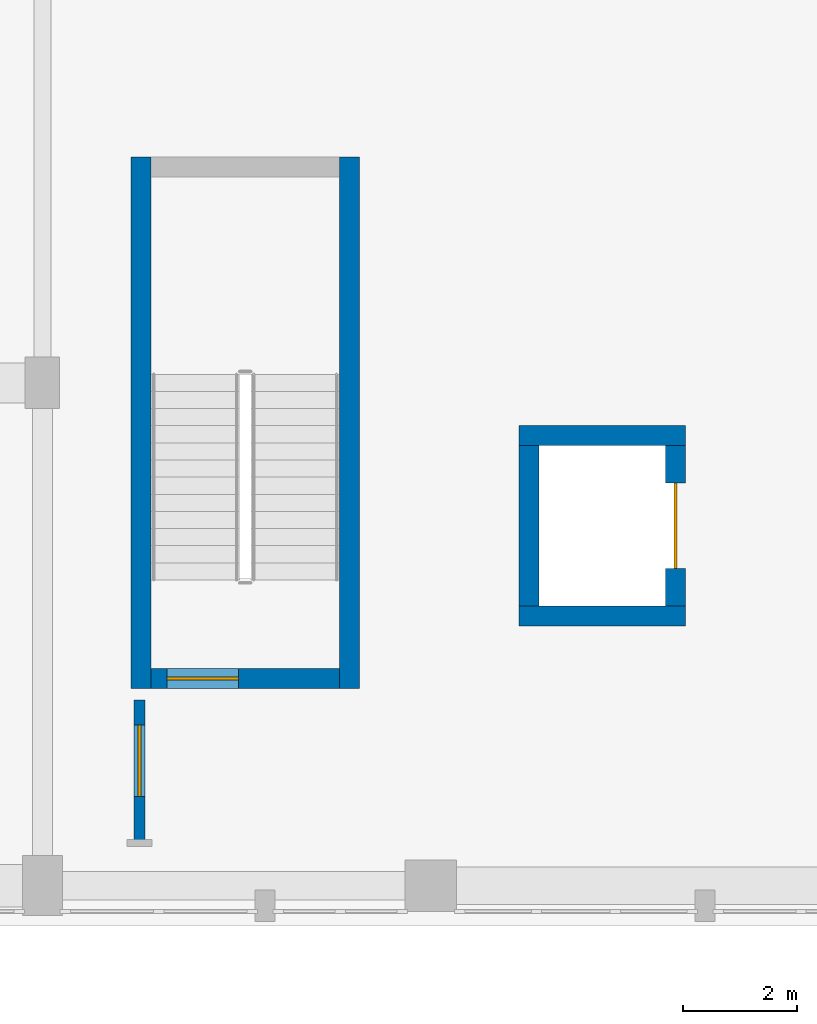
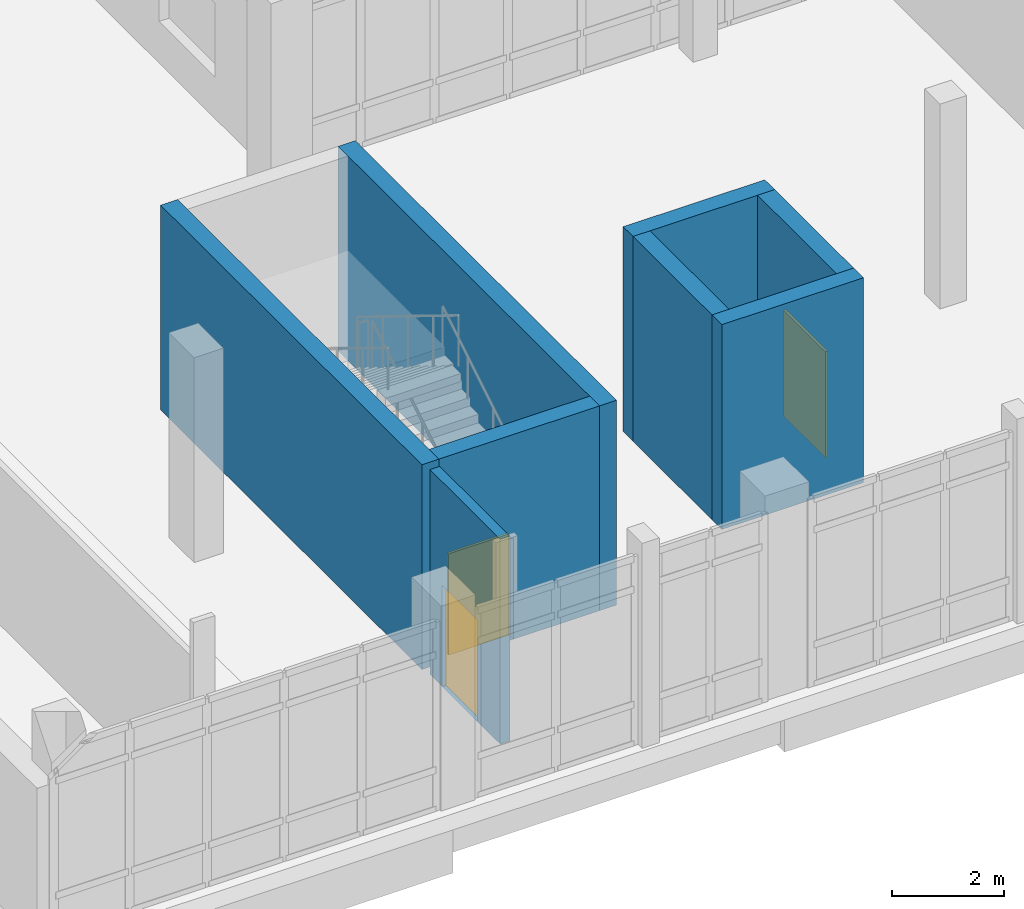
# One storey, part 66 of 89: 8 walls, 3 doors, 3 openings.
"""IFC4 building model written with IfcOpenShell, lengths in metres."""

from ifc_helpers import new_model, si_unit, direction, frame, frame_2d, origin, place, context, subcontext, project, spatial, rectangle, extrude, material, layer, layer_set, type_object, element, fill, save


model = new_model("IFC4")

# Units and contexts
model_context = context("Model", 3, precision=1e-05, world=origin(), true_north=direction((0.0, 1.0)))
body_context = subcontext(model_context, "Body", "Model", "MODEL_VIEW")
ifc_project = project(units=[si_unit("LENGTHUNIT", "METRE"), si_unit("AREAUNIT", "SQUARE_METRE"), si_unit("VOLUMEUNIT", "CUBIC_METRE"), si_unit("PLANEANGLEUNIT", "RADIAN"), si_unit("MASSUNIT", "GRAM", prefix="KILO")], contexts=[model_context])

# Site, building, storey
site_placement = place(None, origin())
site = spatial("IfcSite", under=ifc_project, at=site_placement, CompositionType="ELEMENT")
building_placement = place(site_placement, origin())
building = spatial("IfcBuilding", under=site, at=building_placement, Name="Soyqirgoq Riverine Aquarium", CompositionType="ELEMENT")
storey_placement = place(building_placement, frame((0.0, 0.0, 5.39990234375)))
storey = spatial("IfcBuildingStorey", under=building, at=storey_placement, Name="L02", CompositionType="ELEMENT", Elevation=5.39990234375)

# Walls
ifc_material_1 = material(Name="Concrete C40/50", Category="concrete")
ifc_layer_1 = layer(ifc_material_1, 0.35009765625)
ifc_layer_set_1 = layer_set([ifc_layer_1], Name="Concrete C40/50")
wall_type_1 = type_object("IfcWallType", Name="CoreShearWall_350_C40", PredefinedType="SHEAR", material=ifc_layer_set_1)
for number, where, z_axis, x_axis, name in (
    (1, (127.97509765625, 60.14990234375, 0.0), (0.0, 0.0, 1.0), (0.0, 1.0, 0.0), "CORE-7 L02 Stair Core Shear Wall SIDE1"),
    (2, (124.324951171875, 69.449951171875, 0.0), (0.0, 0.0, 1.0), (0.0, -1.0, 0.0), "CORE-7 L02 Stair Core Shear Wall SIDE2"),
):
    element("IfcWall", number, at=place(storey_placement, frame(where, z_axis=z_axis, x_axis=x_axis)), inside=storey, type_object=wall_type_1, Name=name, PredefinedType="SHEAR", context=body_context, shape_type="SweptSolid", body=[
        extrude(rectangle(XDim=9.300048828125, YDim=0.35009765625, at=frame_2d((4.64990234375, 0.0))), origin(), (0.0, 0.0, 1.0), 4.4501953125),
    ])

# Wall, opening, door
wall_1_placement = place(storey_placement, frame((124.5, 60.324951171875, 0.0), z_axis=(0.0, 0.0, 1.0), x_axis=(1.0, 0.0, 0.0)))
wall_1 = element("IfcWall", 3, at=wall_1_placement, inside=storey, type_object=wall_type_1, Name="CORE-7 L02 Stair Core Shear Wall FRONT", PredefinedType="SHEAR", context=body_context, shape_type="SweptSolid", body=[
    extrude(rectangle(XDim=3.300048828125, YDim=0.35009765625, at=frame_2d((1.64990234375, 0.0))), origin(), (0.0, 0.0, 1.0), 4.4501953125),
])
opening_1_placement = place(wall_1_placement, frame((0.280029296875, 0.0, 0.0)))
opening_1 = element("IfcOpeningElement", 4, at=opening_1_placement, cuts=wall_1, Name="Opening FD-01", PredefinedType="OPENING", context=body_context, shape_type="SweptSolid", body=[
    extrude(rectangle(XDim=1.25, YDim=2.199951171875, at=frame_2d((0.625, 1.10009765625))), frame((0.0, 0.18505859375, 0.0), z_axis=(0.0, -1.0, 0.0), x_axis=(1.0, 0.0, 0.0)), (0.0, 0.0, 1.0), 0.3701171875),
])
ifc_material_2 = material(Name="Galvanised steel fire-resisting stair door", Category="steel")
door_type_1 = type_object("IfcDoorType", Name="StairFireDoor_1250x2200_EI90", OperationType="NOTDEFINED", PredefinedType="DOOR", material=ifc_material_2)
door_1_placement = place(opening_1_placement, origin())
door_1 = element("IfcDoor", 5, at=door_1_placement, inside=storey, type_object=door_type_1, Name="DR-ST-8-L02 ST-8 L02 Fire-Rated Stairwell Door", OperationType="SINGLE_SWING_LEFT", OverallHeight=2.199951171875, OverallWidth=1.25, PredefinedType="DOOR", context=body_context, shape_type="SweptSolid", body=[
    extrude(rectangle(XDim=1.25, YDim=2.199951171875, at=frame_2d((0.625, 1.10009765625))), frame((0.0, 0.02490234375, 0.0), z_axis=(0.0, -1.0, 0.0), x_axis=(1.0, 0.0, 0.0)), (0.0, 0.0, 1.0), 0.050048828125),
])
fill(opening_1, door_1)

# Wall
wall_2_placement = place(storey_placement, frame((130.945068359375, 61.419921875, 0.0), z_axis=(0.0, 0.0, 1.0), x_axis=(1.0, 0.0, 0.0)))
element("IfcWall", 6, at=wall_2_placement, inside=storey, type_object=wall_type_1, Name="Lift GL-2 Shaft Wall L02 1", PredefinedType="SHEAR", context=body_context, shape_type="SweptSolid", body=[
    extrude(rectangle(XDim=2.909912109375, YDim=0.35009765625, at=frame_2d((1.455078125, 0.0))), origin(), (0.0, 0.0, 1.0), 4.4501953125),
])

# Wall, opening, door
wall_3_placement = place(storey_placement, frame((133.679931640625, 61.594970703125, 0.0), z_axis=(0.0, 0.0, 1.0), x_axis=(0.0, 1.0, 0.0)))
wall_3 = element("IfcWall", 7, at=wall_3_placement, inside=storey, type_object=wall_type_1, Name="Lift GL-2 Shaft Wall L02 2", PredefinedType="SHEAR", context=body_context, shape_type="SweptSolid", body=[
    extrude(rectangle(XDim=2.81005859375, YDim=0.35009765625, at=frame_2d((1.405029296875, 0.0))), origin(), (0.0, 0.0, 1.0), 4.4501953125),
])
opening_2_placement = place(wall_3_placement, frame((0.655029296875, 0.0, 0.0)))
opening_2 = element("IfcOpeningElement", 8, at=opening_2_placement, cuts=wall_3, Name="Opening LD-02", PredefinedType="OPENING", context=body_context, shape_type="SweptSolid", body=[
    extrude(rectangle(XDim=1.5, YDim=2.300048828125, at=frame_2d((0.75, 1.14990234375))), frame((0.0, 0.18505859375, 0.0), z_axis=(0.0, -1.0, 0.0), x_axis=(1.0, 0.0, 0.0)), (0.0, 0.0, 1.0), 0.3701171875),
])
ifc_material_3 = material(Name="Heavy-duty stainless steel bi-parting lift landing door", Category="steel")
door_type_2 = type_object("IfcDoorType", Name="GoodsLiftLandingDoor_1500x2300", OperationType="SLIDING_TO_LEFT", PredefinedType="DOOR", material=ifc_material_3)
door_2_placement = place(opening_2_placement, origin())
door_2 = element("IfcDoor", 9, at=door_2_placement, inside=storey, type_object=door_type_2, Name="LD-GL-2-L02 Lift GL-2 L02 Sliding Landing Door", OperationType="SLIDING_TO_LEFT", OverallHeight=2.300048828125, OverallWidth=1.5, PredefinedType="DOOR", context=body_context, shape_type="SweptSolid", body=[
    extrude(rectangle(XDim=1.5, YDim=2.300048828125, at=frame_2d((0.75, 1.14990234375))), frame((0.0, 0.02490234375, 0.0), z_axis=(0.0, -1.0, 0.0), x_axis=(1.0, 0.0, 0.0)), (0.0, 0.0, 1.0), 0.050048828125),
])
fill(opening_2, door_2)

# Walls
wall_4_placement = place(storey_placement, frame((133.85498046875, 64.580078125, 0.0), z_axis=(0.0, 0.0, 1.0), x_axis=(-1.0, 0.0, 0.0)))
element("IfcWall", 10, at=wall_4_placement, inside=storey, type_object=wall_type_1, Name="Lift GL-2 Shaft Wall L02 3", PredefinedType="SHEAR", context=body_context, shape_type="SweptSolid", body=[
    extrude(rectangle(XDim=2.909912109375, YDim=0.35009765625, at=frame_2d((1.455078125, 0.0))), origin(), (0.0, 0.0, 1.0), 4.4501953125),
])
wall_5_placement = place(storey_placement, frame((131.1201171875, 64.405029296875, 0.0), z_axis=(0.0, 0.0, 1.0), x_axis=(0.0, -1.0, 0.0)))
element("IfcWall", 11, at=wall_5_placement, inside=storey, type_object=wall_type_1, Name="Lift GL-2 Shaft Wall L02 4", PredefinedType="SHEAR", context=body_context, shape_type="SweptSolid", body=[
    extrude(rectangle(XDim=2.81005859375, YDim=0.35009765625, at=frame_2d((1.405029296875, 0.0))), origin(), (0.0, 0.0, 1.0), 4.4501953125),
])

# Wall, opening, door
ifc_material_4 = material(Name="Fire-rated calcium silicate twin-stud partition", Category="gypsum")
ifc_layer_2 = layer(ifc_material_4, 0.199951171875)
ifc_layer_set_2 = layer_set([ifc_layer_2], Name="Fire-rated calcium silicate twin-stud partition")
wall_type_2 = type_object("IfcWallType", Name="PartitionWall_200_EI90", PredefinedType="PARTITIONING", material=ifc_layer_set_2)
wall_6_placement = place(storey_placement, frame((124.300048828125, 59.949951171875, 0.0), z_axis=(0.0, 0.0, 1.0), x_axis=(0.0, -1.0, 0.0)))
wall_6 = element("IfcWall", 12, at=wall_6_placement, inside=storey, type_object=wall_type_2, Name="Lift and Stair Lobby ST-8 Fire Enclosure Wall", PredefinedType="PARTITIONING", context=body_context, shape_type="SweptSolid", body=[
    extrude(rectangle(XDim=2.5, YDim=0.199951171875, at=frame_2d((1.25, 0.0))), origin(), (0.0, 0.0, 1.0), 4.4501953125),
])
opening_3_placement = place(wall_6_placement, frame((0.4375, 0.0, 0.0)))
opening_3 = element("IfcOpeningElement", 13, at=opening_3_placement, cuts=wall_6, Name="Opening FD-01", PredefinedType="OPENING", context=body_context, shape_type="SweptSolid", body=[
    extrude(rectangle(XDim=1.25, YDim=2.199951171875, at=frame_2d((0.625, 1.10009765625))), frame((0.0, 0.10986328125, 0.0), z_axis=(0.0, -1.0, 0.0), x_axis=(1.0, 0.0, 0.0)), (0.0, 0.0, 1.0), 0.219970703125),
])
door_3_placement = place(opening_3_placement, origin())
door_3 = element("IfcDoor", 14, at=door_3_placement, inside=storey, type_object=door_type_1, Name="IDR-V7-L02-0229 Lift and Stair Lobby ST-8 Egress Fire Door", OperationType="SINGLE_SWING_LEFT", OverallHeight=2.199951171875, OverallWidth=1.25, PredefinedType="DOOR", context=body_context, shape_type="SweptSolid", body=[
    extrude(rectangle(XDim=1.25, YDim=2.199951171875, at=frame_2d((0.625, 1.10009765625))), frame((0.0, 0.02490234375, 0.0), z_axis=(0.0, -1.0, 0.0), x_axis=(1.0, 0.0, 0.0)), (0.0, 0.0, 1.0), 0.050048828125),
])
fill(opening_3, door_3)

save(model, "model.ifc")
